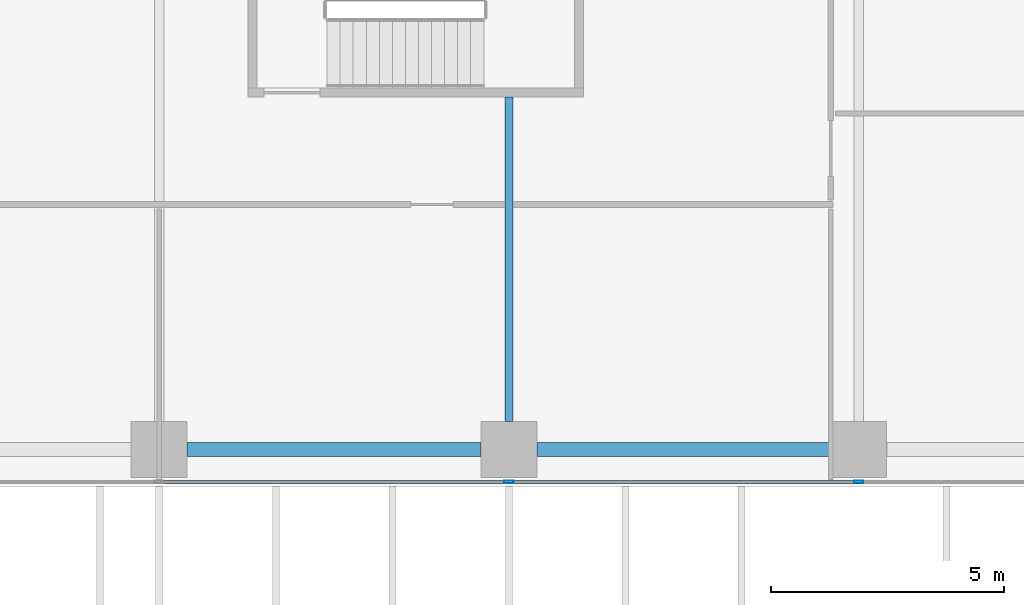
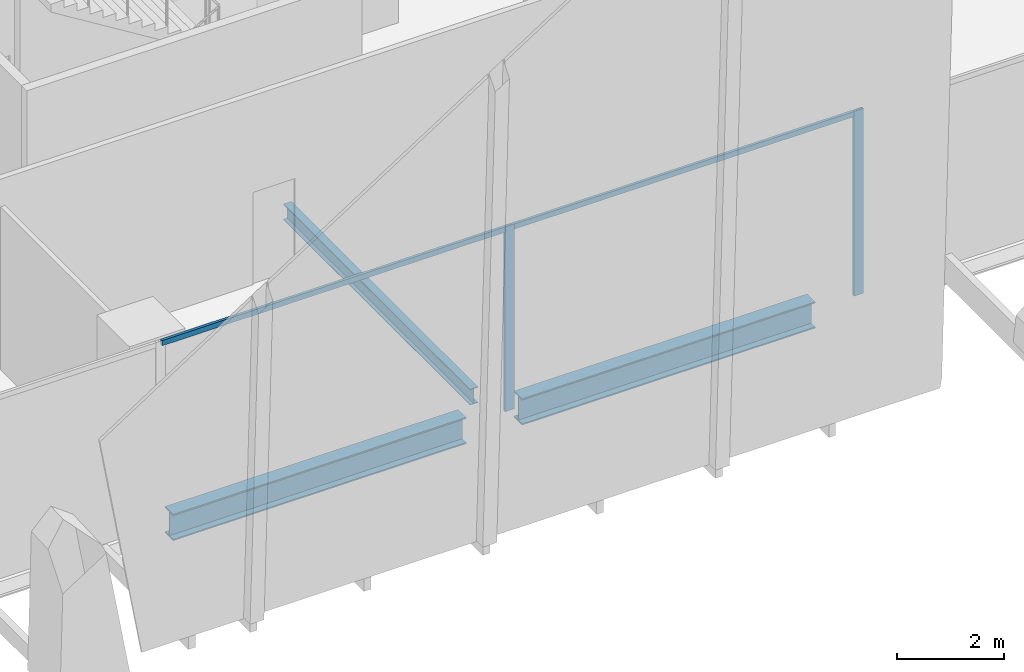
# One storey, part 3 of 35: 4 members, 3 beams, 1 element without a shape of its own.
"""IFC4 building model written with IfcOpenShell, lengths in metres."""

from ifc_helpers import new_model, si_unit, direction, frame, origin, origin_2d, place, context, subcontext, project, spatial, hollow_rectangle, i_section, extrude, source, transform, mapped, material, material_profile, profile_set, type_object, element, aggregate, save


model = new_model("IFC4")

# Units and contexts
model_context = context("Model", 3, precision=1e-05, world=origin(), true_north=direction((0.0, 1.0)))
body_context = subcontext(model_context, "Body", "Model", "MODEL_VIEW")
ifc_project = project(units=[si_unit("LENGTHUNIT", "METRE"), si_unit("AREAUNIT", "SQUARE_METRE"), si_unit("VOLUMEUNIT", "CUBIC_METRE"), si_unit("PLANEANGLEUNIT", "RADIAN"), si_unit("MASSUNIT", "GRAM", prefix="KILO")], contexts=[model_context])

# Site, building, storey
site_placement = place(None, origin())
site = spatial("IfcSite", under=ifc_project, at=site_placement, CompositionType="ELEMENT")
building_placement = place(site_placement, origin())
building = spatial("IfcBuilding", under=site, at=building_placement, Name="Khomas Fold Tower", CompositionType="ELEMENT")
storey_placement = place(building_placement, frame((0.0, 0.0, 87.0)))
storey = spatial("IfcBuildingStorey", under=building, at=storey_placement, Name="L18", CompositionType="ELEMENT", Elevation=87.0)

# Beams
ifc_material_1 = material(Name="Steel S355", Category="steel")
ifc_material_profile_1 = material_profile(ifc_material_1, i_section(OverallWidth=0.169921875, OverallDepth=0.360107421875, WebThickness=0.008056640625, FlangeThickness=0.0126953125, at=origin_2d()), Name="IPE 360")
ifc_profile_set_1 = profile_set([ifc_material_profile_1], Name="Steel S355")
beam_type_1 = type_object("IfcBeamType", Name="IPE 360 beam JB2", PredefinedType="BEAM", material=ifc_profile_set_1)
shared_shape_1 = source(origin(), body_context, "Body", "SweptSolid", [
    extrude(i_section(OverallWidth=0.169921875, OverallDepth=0.360107421875, WebThickness=0.008056640625, FlangeThickness=0.0126953125, at=origin_2d()), origin(), (0.0, 0.0, 1.0), 6.9501953125),
])
beam_placement = place(storey_placement, frame((19.5, 1.39990234375, -0.47998046875), z_axis=(0.0, 1.0, 0.0), x_axis=(-1.0, 0.0, 0.0)))
element("IfcBeam", 1, at=beam_placement, inside=storey, type_object=beam_type_1, Name="JB2", PredefinedType="BEAM", context=body_context, shape_type="MappedRepresentation", body=[
    mapped(shared_shape_1, transform((0.0, 0.0, 0.0))),
])
ifc_material_2 = material(Name="Steel S355", Category="steel")
ifc_material_profile_2 = material_profile(ifc_material_2, i_section(OverallWidth=0.300048828125, OverallDepth=0.60009765625, WebThickness=0.015380859375, FlangeThickness=0.030029296875, at=origin_2d()), Name="HE 600 B")
ifc_profile_set_2 = profile_set([ifc_material_profile_2], Name="Steel S355")
beam_type_2 = type_object("IfcBeamType", Name="HE 600 B spandrel SB1", PredefinedType="SPANDREL", material=ifc_profile_set_2)
shared_shape_2 = source(origin(), body_context, "Body", "SweptSolid", [
    extrude(i_section(OverallWidth=0.300048828125, OverallDepth=0.60009765625, WebThickness=0.015380859375, FlangeThickness=0.030029296875, at=origin_2d()), origin(), (0.0, 0.0, 1.0), 6.2998046875),
])
for number, where, z_axis, x_axis, name in (
    (2, (12.60009765625, 0.800048828125, -0.60009765625), (1.0, 0.0, 0.0), (0.0, 1.0, 0.0), "SB1"),
    (3, (20.10009765625, 0.800048828125, -0.60009765625), (1.0, 0.0, 0.0), (0.0, 1.0, 0.0), "SB1"),
):
    element("IfcBeam", number, at=place(storey_placement, frame(where, z_axis=z_axis, x_axis=x_axis)), inside=storey, type_object=beam_type_2, Name=name, PredefinedType="SPANDREL", context=body_context, shape_type="MappedRepresentation", body=[
        mapped(shared_shape_2, transform((0.0, 0.0, 0.0))),
    ])

# Curtain wall, members
ifc_material_3 = material(Name="Aluminium framed double glazing", Category="aluminium")
curtain_wall_type = type_object("IfcCurtainWallType", Name="SK-Unitised clear-glass wall, growing floors CW1", PredefinedType="NOTDEFINED", material=ifc_material_3)
curtain_wall_placement = place(storey_placement, origin())
curtain_wall = element("IfcCurtainWall", 4, at=curtain_wall_placement, inside=storey, type_object=curtain_wall_type, Name="CW1 run L18 00-0", PredefinedType="NOTDEFINED")
ifc_material_4 = material(Name="Aluminium", Category="aluminium")
ifc_material_profile_3 = material_profile(ifc_material_4, hollow_rectangle(XDim=0.06005859375, YDim=0.1201171875, WallThickness=0.00390625, at=origin_2d()), Name="SK-Unitised clear-glass wall, growing floors transom CW1-T")
ifc_profile_set_3 = profile_set([ifc_material_profile_3], Name="Aluminium")
member_type_1 = type_object("IfcMemberType", Name="SK-Unitised clear-glass wall, growing floors transom CW1-T", PredefinedType="USERDEFINED", material=ifc_profile_set_3)
shared_shape_3 = source(origin(), body_context, "Body", "SweptSolid", [
    extrude(hollow_rectangle(XDim=0.06005859375, YDim=0.1201171875, WallThickness=0.00390625, at=origin_2d()), origin(), (0.0, 0.0, 1.0), 7.43994140625),
])
member_1_placement = place(storey_placement, frame((12.030029296875, 0.10009765625, 4.139892578125), z_axis=(1.0, 0.0, 0.0), x_axis=(0.0, 1.0, 0.0)))
member_1 = element("IfcMember", 5, at=member_1_placement, type_object=member_type_1, Name="CW1 transom 3", ObjectType="TRANSOM", PredefinedType="USERDEFINED", context=body_context, shape_type="MappedRepresentation", body=[
    mapped(shared_shape_3, transform((0.0, 0.0, 0.0))),
])
member_2_placement = place(storey_placement, frame((19.530029296875, 0.10009765625, 4.139892578125), z_axis=(1.0, 0.0, 0.0), x_axis=(0.0, 1.0, 0.0)))
member_2 = element("IfcMember", 6, at=member_2_placement, type_object=member_type_1, Name="CW1 transom 4", ObjectType="TRANSOM", PredefinedType="USERDEFINED", context=body_context, shape_type="MappedRepresentation", body=[
    mapped(shared_shape_3, transform((0.0, 0.0, 0.0))),
])
ifc_material_5 = material(Name="Aluminium", Category="aluminium")
ifc_material_profile_4 = material_profile(ifc_material_5, hollow_rectangle(XDim=0.06005859375, YDim=0.199951171875, WallThickness=0.00390625, at=origin_2d()), Name="SK-Unitised clear-glass wall, growing floors mullion CW1-M")
ifc_profile_set_4 = profile_set([ifc_material_profile_4], Name="Aluminium")
member_type_2 = type_object("IfcMemberType", Name="SK-Unitised clear-glass wall, growing floors mullion CW1-M", PredefinedType="MULLION", material=ifc_profile_set_4)
shared_shape_4 = source(origin(), body_context, "Body", "SweptSolid", [
    extrude(hollow_rectangle(XDim=0.06005859375, YDim=0.199951171875, WallThickness=0.00390625, at=origin_2d()), origin(), (0.0, 0.0, 1.0), 4.199951171875),
])
member_3_placement = place(storey_placement, frame((19.5, 0.10009765625, 0.0), z_axis=(0.0, 0.0, 1.0), x_axis=(0.0, 1.0, 0.0)))
member_3 = element("IfcMember", 7, at=member_3_placement, type_object=member_type_2, Name="CW1 mullion 4", PredefinedType="MULLION", context=body_context, shape_type="MappedRepresentation", body=[
    mapped(shared_shape_4, transform((0.0, 0.0, 0.0))),
])
member_4_placement = place(storey_placement, frame((27.0, 0.10009765625, 0.0), z_axis=(0.0, 0.0, 1.0), x_axis=(0.0, 1.0, 0.0)))
member_4 = element("IfcMember", 8, at=member_4_placement, type_object=member_type_2, Name="CW1 mullion 5", PredefinedType="MULLION", context=body_context, shape_type="MappedRepresentation", body=[
    mapped(shared_shape_4, transform((0.0, 0.0, 0.0))),
])
aggregate(curtain_wall, [member_3, member_4, member_1, member_2])

save(model, "model.ifc")
